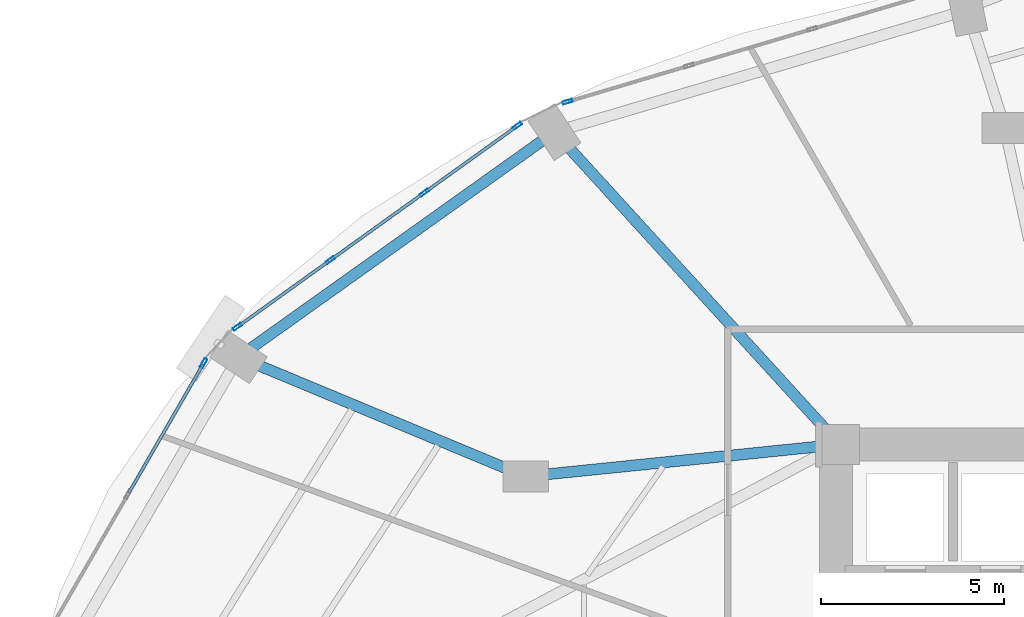
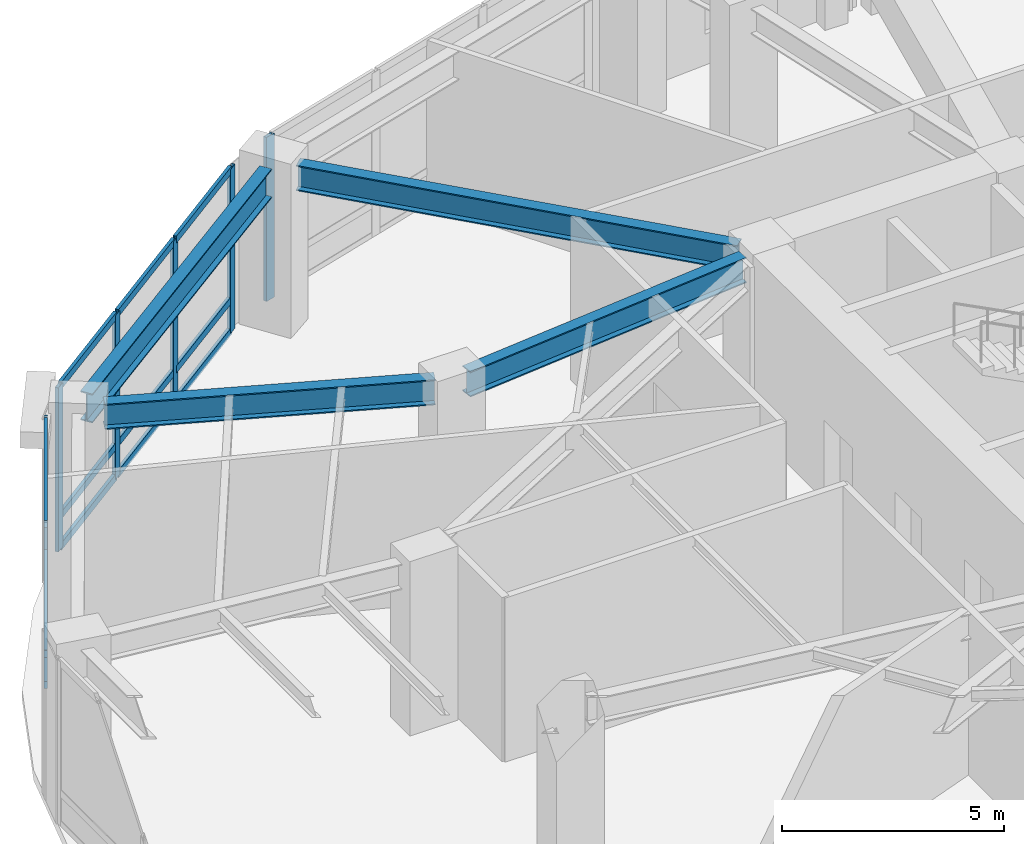
# One storey, part 13 of 24: 18 members, 4 beams, 3 elements without a shape of their own.
"""IFC4 building model written with IfcOpenShell, lengths in metres."""

from ifc_helpers import new_model, si_unit, direction, frame, origin, origin_2d, place, context, subcontext, project, spatial, hollow_rectangle, i_section, extrude, material, layer, layer_set, material_profile, profile_set, type_object, element, aggregate, save


model = new_model("IFC4")

# Units and contexts
model_context = context("Model", 3, precision=1e-05, world=origin(), true_north=direction((0.0, 1.0)))
body_context = subcontext(model_context, "Body", "Model", "MODEL_VIEW")
ifc_project = project(units=[si_unit("LENGTHUNIT", "METRE"), si_unit("AREAUNIT", "SQUARE_METRE"), si_unit("VOLUMEUNIT", "CUBIC_METRE"), si_unit("PLANEANGLEUNIT", "RADIAN"), si_unit("MASSUNIT", "GRAM", prefix="KILO")], contexts=[model_context])

# Site, building, storey
site_placement = place(None, origin())
site = spatial("IfcSite", under=ifc_project, at=site_placement, CompositionType="ELEMENT")
building_placement = place(site_placement, origin())
building = spatial("IfcBuilding", under=site, at=building_placement, Name="Lazwardi Medical Tower", CompositionType="ELEMENT")
storey_placement = place(building_placement, frame((0.0, 0.0, 15.60009765625)))
storey = spatial("IfcBuildingStorey", under=building, at=storey_placement, Name="L03", CompositionType="ELEMENT", Elevation=15.60009765625)

# Beams
ifc_material_1 = material(Name="Steel S355", Category="steel")
ifc_material_profile_1 = material_profile(ifc_material_1, i_section(OverallWidth=0.300048828125, OverallDepth=0.800048828125, WebThickness=0.017578125, FlangeThickness=0.032958984375, at=origin_2d()), Name="HEB 800")
ifc_profile_set_1 = profile_set([ifc_material_profile_1], Name="Steel S355")
beam_type_1 = type_object("IfcBeamType", Name="BM-RB-P1", PredefinedType="BEAM", material=ifc_profile_set_1)
beam_1_placement = place(storey_placement, frame((18.260498046875, 43.892333984375, 4.119873046875), z_axis=(-0.814437186887, -0.580251728663, 0.0), x_axis=(0.580251728663, -0.814437186887, 0.0)))
element("IfcBeam", 1, at=beam_1_placement, inside=storey, type_object=beam_type_1, Name="Ring beam RB-01 B10 L03", PredefinedType="BEAM", context=body_context, shape_type="SweptSolid", body=[
    extrude(i_section(OverallWidth=0.300048828125, OverallDepth=0.800048828125, WebThickness=0.017578125, FlangeThickness=0.032958984375, at=origin_2d()), origin(), (0.0, 0.0, 1.0), 9.743408203125),
])
ifc_material_profile_2 = material_profile(ifc_material_1, i_section(OverallWidth=0.300048828125, OverallDepth=0.699951171875, WebThickness=0.01708984375, FlangeThickness=0.031982421875, at=origin_2d()), Name="HEB 700")
ifc_profile_set_2 = profile_set([ifc_material_profile_2], Name="Steel S355")
beam_type_2 = type_object("IfcBeamType", Name="BM-RG-P1", PredefinedType="BEAM", material=ifc_profile_set_2)
beam_2_placement = place(storey_placement, frame((19.00146484375, 43.713134765625, 4.169921875), z_axis=(0.67382142595, -0.738894231897, 0.0), x_axis=(0.738894231897, 0.67382142595, 0.0)))
element("IfcBeam", 2, at=beam_2_placement, inside=storey, type_object=beam_type_2, Name="Radial girder RG-01 R10 L03", PredefinedType="BEAM", context=body_context, shape_type="SweptSolid", body=[
    extrude(i_section(OverallWidth=0.300048828125, OverallDepth=0.699951171875, WebThickness=0.01708984375, FlangeThickness=0.031982421875, at=origin_2d()), origin(), (0.0, 0.0, 1.0), 10.445068359375),
])
beam_3_placement = place(storey_placement, frame((10.510498046875, 37.766357421875, 4.169921875), z_axis=(0.923279462658, -0.38412892866, 0.0), x_axis=(0.38412892866, 0.923279462658, 0.0)))
element("IfcBeam", 3, at=beam_3_placement, inside=storey, type_object=beam_type_2, Name="Radial girder RG-01 R11A L03", PredefinedType="BEAM", context=body_context, shape_type="SweptSolid", body=[
    extrude(i_section(OverallWidth=0.300048828125, OverallDepth=0.699951171875, WebThickness=0.01708984375, FlangeThickness=0.031982421875, at=origin_2d()), origin(), (0.0, 0.0, 1.0), 7.52001953125),
])
beam_4_placement = place(storey_placement, frame((18.220947265625, 34.7646484375, 4.169921875), z_axis=(0.994824908551, 0.101604140299, 0.0), x_axis=(-0.101604140299, 0.994824908551, 0.0)))
element("IfcBeam", 4, at=beam_4_placement, inside=storey, type_object=beam_type_2, Name="Radial girder RG-01 R11B L03", PredefinedType="BEAM", context=body_context, shape_type="SweptSolid", body=[
    extrude(i_section(OverallWidth=0.300048828125, OverallDepth=0.699951171875, WebThickness=0.01708984375, FlangeThickness=0.031982421875, at=origin_2d()), origin(), (0.0, 0.0, 1.0), 7.686767578125),
])

# Curtain wall, member
ifc_material_2 = material(Name="Anodised bronze aluminium and solar control glazing", Category="aluminium")
ifc_layer = layer(ifc_material_2, 0.219970703125)
ifc_layer_set = layer_set([ifc_layer], Name="Anodised bronze aluminium and solar control glazing")
curtain_wall_type = type_object("IfcCurtainWallType", Name="CW-SYS-01", PredefinedType="NOTDEFINED", material=ifc_layer_set)
curtain_wall_1_placement = place(storey_placement, origin())
curtain_wall_1 = element("IfcCurtainWall", 5, at=curtain_wall_1_placement, inside=storey, type_object=curtain_wall_type, Name="L03 Unitised bronze curtain wall CW-01", PredefinedType="NOTDEFINED")
ifc_material_3 = material(Name="Anodised bronze aluminium", Category="aluminium")
ifc_material_profile_3 = material_profile(ifc_material_3, hollow_rectangle(XDim=0.0849609375, YDim=0.260009765625, WallThickness=0.0048828125, at=origin_2d()), Name="ALU-MULLION 260x85x5")
ifc_profile_set_3 = profile_set([ifc_material_profile_3], Name="Anodised bronze aluminium")
member_type_1 = type_object("IfcMemberType", Name="CW-MUL-02", PredefinedType="MULLION", material=ifc_profile_set_3)
member_1_placement = place(storey_placement, frame((18.966064453125, 44.96630859375, 0.0), z_axis=(0.0, 0.0, 1.0), x_axis=(0.285047195531, -0.958513482597, 0.0)))
member_1 = element("IfcMember", 6, at=member_1_placement, type_object=member_type_1, Name="CW-01 mullion 4", PredefinedType="MULLION", context=body_context, shape_type="SweptSolid", body=[
    extrude(hollow_rectangle(XDim=0.0849609375, YDim=0.260009765625, WallThickness=0.0048828125, at=origin_2d()), origin(), (0.0, 0.0, 1.0), 4.52001953125),
])
aggregate(curtain_wall_1, [member_1])

# Curtain wall, members
curtain_wall_2_placement = place(storey_placement, origin())
curtain_wall_2 = element("IfcCurtainWall", 7, at=curtain_wall_2_placement, inside=storey, type_object=curtain_wall_type, Name="L03 Unitised bronze curtain wall CW-01", PredefinedType="NOTDEFINED")
member_2_placement = place(storey_placement, frame((17.59423828125, 44.3076171875, 0.0), z_axis=(0.0, 0.0, 1.0), x_axis=(0.583214260584, -0.812318365083, 0.0)))
member_2 = element("IfcMember", 8, at=member_2_placement, type_object=member_type_1, Name="CW-01 mullion 1", PredefinedType="MULLION", context=body_context, shape_type="SweptSolid", body=[
    extrude(hollow_rectangle(XDim=0.0849609375, YDim=0.260009765625, WallThickness=0.0048828125, at=origin_2d()), origin(), (0.0, 0.0, 1.0), 4.52001953125),
])
member_3_placement = place(storey_placement, frame((15.055419921875, 42.48486328125, 0.0), z_axis=(0.0, 0.0, 1.0), x_axis=(0.583214260584, -0.812318365083, 0.0)))
member_3 = element("IfcMember", 9, at=member_3_placement, type_object=member_type_1, Name="CW-01 mullion 2", PredefinedType="MULLION", context=body_context, shape_type="SweptSolid", body=[
    extrude(hollow_rectangle(XDim=0.0849609375, YDim=0.260009765625, WallThickness=0.0048828125, at=origin_2d()), origin(), (0.0, 0.0, 1.0), 4.52001953125),
])
member_4_placement = place(storey_placement, frame((12.482177734375, 40.63720703125, 0.0), z_axis=(0.0, 0.0, 1.0), x_axis=(0.583214260584, -0.812318365083, 0.0)))
member_4 = element("IfcMember", 10, at=member_4_placement, type_object=member_type_1, Name="CW-01 mullion 3", PredefinedType="MULLION", context=body_context, shape_type="SweptSolid", body=[
    extrude(hollow_rectangle(XDim=0.0849609375, YDim=0.260009765625, WallThickness=0.0048828125, at=origin_2d()), origin(), (0.0, 0.0, 1.0), 4.52001953125),
])
member_5_placement = place(storey_placement, frame((9.943359375, 38.814453125, 0.0), z_axis=(0.0, 0.0, 1.0), x_axis=(0.583214260584, -0.812318365083, 0.0)))
member_5 = element("IfcMember", 11, at=member_5_placement, type_object=member_type_1, Name="CW-01 mullion 4", PredefinedType="MULLION", context=body_context, shape_type="SweptSolid", body=[
    extrude(hollow_rectangle(XDim=0.0849609375, YDim=0.260009765625, WallThickness=0.0048828125, at=origin_2d()), origin(), (0.0, 0.0, 1.0), 4.52001953125),
])

# Curtain wall, member
curtain_wall_3_placement = place(storey_placement, origin())
curtain_wall_3 = element("IfcCurtainWall", 12, at=curtain_wall_3_placement, inside=storey, type_object=curtain_wall_type, Name="L03 Unitised bronze curtain wall CW-01", PredefinedType="NOTDEFINED")
member_6_placement = place(storey_placement, frame((9.021240234375, 37.822021484375, 0.0), z_axis=(0.0, 0.0, 1.0), x_axis=(0.866180607783, -0.499731082384, 0.0)))
member_6 = element("IfcMember", 13, at=member_6_placement, type_object=member_type_1, Name="CW-01 mullion 1", PredefinedType="MULLION", context=body_context, shape_type="SweptSolid", body=[
    extrude(hollow_rectangle(XDim=0.0849609375, YDim=0.260009765625, WallThickness=0.0048828125, at=origin_2d()), origin(), (0.0, 0.0, 1.0), 4.52001953125),
])

# Member
ifc_material_profile_4 = material_profile(ifc_material_3, hollow_rectangle(XDim=0.0849609375, YDim=0.199951171875, WallThickness=0.00439453125, at=origin_2d()), Name="ALU-TRANSOM 200x85x4.5")
ifc_profile_set_4 = profile_set([ifc_material_profile_4], Name="Anodised bronze aluminium")
member_type_2 = type_object("IfcMemberType", Name="CW-TRN-02", PredefinedType="USERDEFINED", material=ifc_profile_set_4)
member_7_placement = place(storey_placement, frame((17.559814453125, 44.28271484375, 0.04248046875), z_axis=(-0.812314954496, -0.583219010924, 0.0), x_axis=(0.583219010924, -0.812314954496, 0.0)))
member_7 = element("IfcMember", 14, at=member_7_placement, type_object=member_type_2, Name="CW-01 transom 1.1", ObjectType="TRANSOM", PredefinedType="USERDEFINED", context=body_context, shape_type="SweptSolid", body=[
    extrude(hollow_rectangle(XDim=0.0849609375, YDim=0.199951171875, WallThickness=0.00439453125, at=origin_2d()), origin(), (0.0, 0.0, 1.0), 3.040283203125),
])

member_8_placement = place(storey_placement, frame((17.559814453125, 44.28271484375, 0.89990234375), z_axis=(-0.812314954496, -0.583219010924, 0.0), x_axis=(0.583219010924, -0.812314954496, 0.0)))
member_8 = element("IfcMember", 15, at=member_8_placement, type_object=member_type_2, Name="CW-01 transom 1.2", ObjectType="TRANSOM", PredefinedType="USERDEFINED", context=body_context, shape_type="SweptSolid", body=[
    extrude(hollow_rectangle(XDim=0.0849609375, YDim=0.199951171875, WallThickness=0.00439453125, at=origin_2d()), origin(), (0.0, 0.0, 1.0), 3.040283203125),
])

member_9_placement = place(storey_placement, frame((17.559814453125, 44.28271484375, 4.477294921875), z_axis=(-0.812314954496, -0.583219010924, 0.0), x_axis=(0.583219010924, -0.812314954496, 0.0)))
member_9 = element("IfcMember", 16, at=member_9_placement, type_object=member_type_2, Name="CW-01 transom 1.3", ObjectType="TRANSOM", PredefinedType="USERDEFINED", context=body_context, shape_type="SweptSolid", body=[
    extrude(hollow_rectangle(XDim=0.0849609375, YDim=0.199951171875, WallThickness=0.00439453125, at=origin_2d()), origin(), (0.0, 0.0, 1.0), 3.040283203125),
])

member_10_placement = place(storey_placement, frame((15.02099609375, 42.4599609375, 0.04248046875), z_axis=(-0.812350668283, -0.583169265085, 0.0), x_axis=(0.583169265085, -0.812350668283, 0.0)))
member_10 = element("IfcMember", 17, at=member_10_placement, type_object=member_type_2, Name="CW-01 transom 2.1", ObjectType="TRANSOM", PredefinedType="USERDEFINED", context=body_context, shape_type="SweptSolid", body=[
    extrude(hollow_rectangle(XDim=0.0849609375, YDim=0.199951171875, WallThickness=0.00439453125, at=origin_2d()), origin(), (0.0, 0.0, 1.0), 3.0830078125),
])

member_11_placement = place(storey_placement, frame((15.02099609375, 42.4599609375, 0.89990234375), z_axis=(-0.812350668283, -0.583169265085, 0.0), x_axis=(0.583169265085, -0.812350668283, 0.0)))
member_11 = element("IfcMember", 18, at=member_11_placement, type_object=member_type_2, Name="CW-01 transom 2.2", ObjectType="TRANSOM", PredefinedType="USERDEFINED", context=body_context, shape_type="SweptSolid", body=[
    extrude(hollow_rectangle(XDim=0.0849609375, YDim=0.199951171875, WallThickness=0.00439453125, at=origin_2d()), origin(), (0.0, 0.0, 1.0), 3.0830078125),
])

member_12_placement = place(storey_placement, frame((15.02099609375, 42.4599609375, 4.477294921875), z_axis=(-0.812350668283, -0.583169265085, 0.0), x_axis=(0.583169265085, -0.812350668283, 0.0)))
member_12 = element("IfcMember", 19, at=member_12_placement, type_object=member_type_2, Name="CW-01 transom 2.3", ObjectType="TRANSOM", PredefinedType="USERDEFINED", context=body_context, shape_type="SweptSolid", body=[
    extrude(hollow_rectangle(XDim=0.0849609375, YDim=0.199951171875, WallThickness=0.00439453125, at=origin_2d()), origin(), (0.0, 0.0, 1.0), 3.0830078125),
])

member_13_placement = place(storey_placement, frame((12.44775390625, 40.612548828125, 0.04248046875), z_axis=(-0.812314954496, -0.583219010924, 0.0), x_axis=(0.583219010924, -0.812314954496, 0.0)))
member_13 = element("IfcMember", 20, at=member_13_placement, type_object=member_type_2, Name="CW-01 transom 3.1", ObjectType="TRANSOM", PredefinedType="USERDEFINED", context=body_context, shape_type="SweptSolid", body=[
    extrude(hollow_rectangle(XDim=0.0849609375, YDim=0.199951171875, WallThickness=0.00439453125, at=origin_2d()), origin(), (0.0, 0.0, 1.0), 3.040283203125),
])

member_14_placement = place(storey_placement, frame((12.44775390625, 40.612548828125, 0.89990234375), z_axis=(-0.812314954496, -0.583219010924, 0.0), x_axis=(0.583219010924, -0.812314954496, 0.0)))
member_14 = element("IfcMember", 21, at=member_14_placement, type_object=member_type_2, Name="CW-01 transom 3.2", ObjectType="TRANSOM", PredefinedType="USERDEFINED", context=body_context, shape_type="SweptSolid", body=[
    extrude(hollow_rectangle(XDim=0.0849609375, YDim=0.199951171875, WallThickness=0.00439453125, at=origin_2d()), origin(), (0.0, 0.0, 1.0), 3.040283203125),
])

member_15_placement = place(storey_placement, frame((12.44775390625, 40.612548828125, 4.477294921875), z_axis=(-0.812314954496, -0.583219010924, 0.0), x_axis=(0.583219010924, -0.812314954496, 0.0)))
member_15 = element("IfcMember", 22, at=member_15_placement, type_object=member_type_2, Name="CW-01 transom 3.3", ObjectType="TRANSOM", PredefinedType="USERDEFINED", context=body_context, shape_type="SweptSolid", body=[
    extrude(hollow_rectangle(XDim=0.0849609375, YDim=0.199951171875, WallThickness=0.00439453125, at=origin_2d()), origin(), (0.0, 0.0, 1.0), 3.040283203125),
])

aggregate(curtain_wall_2, [member_2, member_3, member_4, member_5, member_7, member_8, member_9, member_10, member_11, member_12, member_13, member_14, member_15])

member_16_placement = place(storey_placement, frame((9.000244140625, 37.78515625, 0.04248046875), z_axis=(-0.499767651026, -0.866159508975, 0.0), x_axis=(0.866159508975, -0.499767651026, 0.0)))
member_16 = element("IfcMember", 23, at=member_16_placement, type_object=member_type_2, Name="CW-01 transom 1.1", ObjectType="TRANSOM", PredefinedType="USERDEFINED", context=body_context, shape_type="SweptSolid", body=[
    extrude(hollow_rectangle(XDim=0.0849609375, YDim=0.199951171875, WallThickness=0.00439453125, at=origin_2d()), origin(), (0.0, 0.0, 1.0), 4.052734375),
])

member_17_placement = place(storey_placement, frame((9.000244140625, 37.78515625, 0.89990234375), z_axis=(-0.499767651026, -0.866159508975, 0.0), x_axis=(0.866159508975, -0.499767651026, 0.0)))
member_17 = element("IfcMember", 24, at=member_17_placement, type_object=member_type_2, Name="CW-01 transom 1.2", ObjectType="TRANSOM", PredefinedType="USERDEFINED", context=body_context, shape_type="SweptSolid", body=[
    extrude(hollow_rectangle(XDim=0.0849609375, YDim=0.199951171875, WallThickness=0.00439453125, at=origin_2d()), origin(), (0.0, 0.0, 1.0), 4.052734375),
])

member_18_placement = place(storey_placement, frame((9.000244140625, 37.78515625, 4.477294921875), z_axis=(-0.499767651026, -0.866159508975, 0.0), x_axis=(0.866159508975, -0.499767651026, 0.0)))
member_18 = element("IfcMember", 25, at=member_18_placement, type_object=member_type_2, Name="CW-01 transom 1.3", ObjectType="TRANSOM", PredefinedType="USERDEFINED", context=body_context, shape_type="SweptSolid", body=[
    extrude(hollow_rectangle(XDim=0.0849609375, YDim=0.199951171875, WallThickness=0.00439453125, at=origin_2d()), origin(), (0.0, 0.0, 1.0), 4.052734375),
])

aggregate(curtain_wall_3, [member_6, member_16, member_17, member_18])

save(model, "model.ifc")
